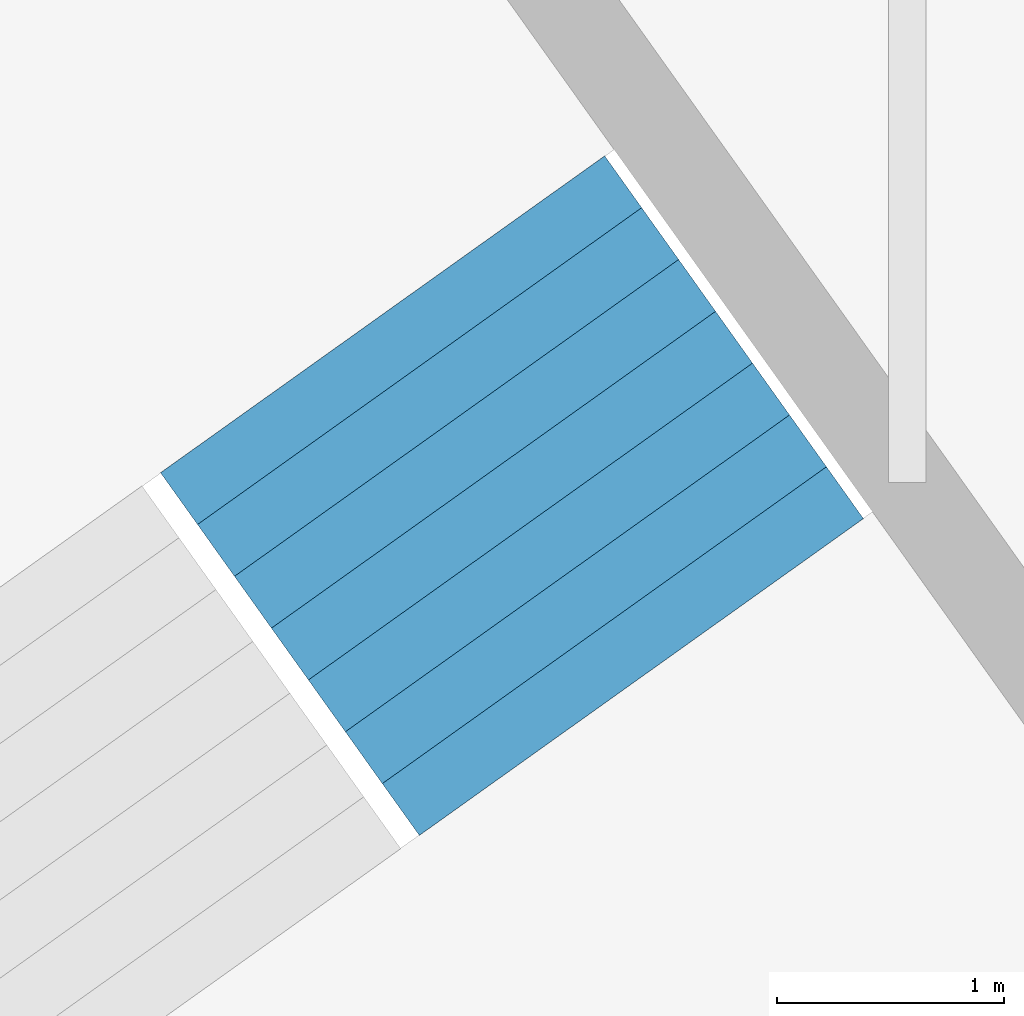
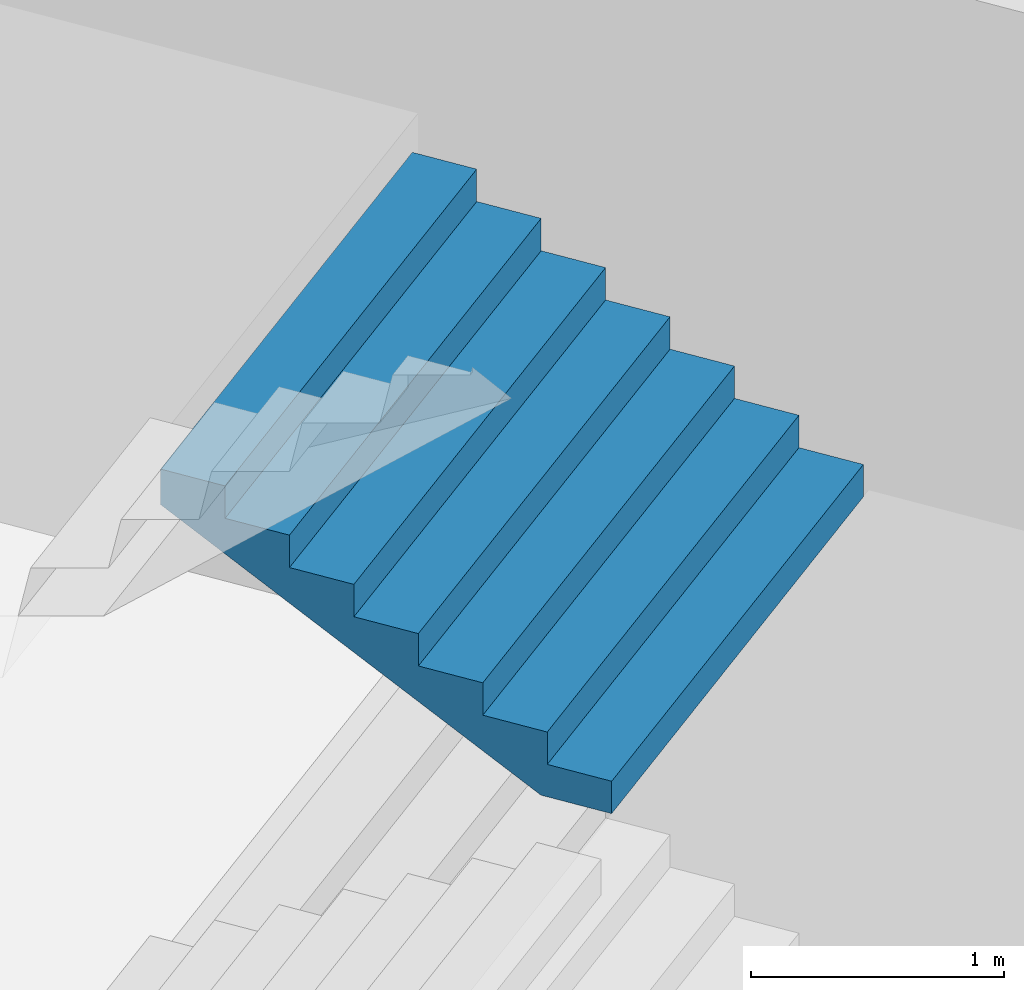
# One storey, part 44 of 73: 1 stair flight, 1 element without a shape of its own.
"""IFC4 building model written with IfcOpenShell, lengths in metres."""

import ifcopenshell
import ifcopenshell.guid

model = None  # the IFC model being written
_history = None  # IfcOwnerHistory: only IFC2X3 demands one
_inside = {}  # id of a spatial element -> (the spatial element, [elements in it])
_under = {}  # id of a project, library or spatial element -> (it, [spatial elements below it])
_declared = {}  # id of a project -> (the project, [libraries it declares])
_typed = {}  # id of a type object -> (the type object, [elements of that type])
_made_of = {}  # id of a material, layer set ... -> (it, [elements and type objects made of it])


def new_model(schema):
    """Start an empty IFC model of exactly this schema.

    Asked for "IFC4X3", IfcOpenShell would pick the latest addendum, in which some entities
    have other attributes; the version numbers below select the first issue.
    IFC2X3 requires an IfcOwnerHistory on every rooted entity: one is made here for all.
    """
    global model, _history
    if schema == "IFC4X3":
        model = ifcopenshell.file(schema_version=(4, 3, 0, 0))
    else:
        model = ifcopenshell.file(schema=schema)
    _inside.clear()
    _under.clear()
    _declared.clear()
    _typed.clear()
    _made_of.clear()
    _history = None
    if model.schema == "IFC2X3":
        org = make("IfcOrganization", Name="unknown")
        user = make(
            "IfcPersonAndOrganization",
            ThePerson=make("IfcPerson", FamilyName="unknown"),
            TheOrganization=org,
        )
        app = make(
            "IfcApplication",
            ApplicationDeveloper=org,
            Version="unknown",
            ApplicationFullName="unknown",
            ApplicationIdentifier="unknown",
        )
        _history = make(
            "IfcOwnerHistory",
            OwningUser=user,
            OwningApplication=app,
            ChangeAction="ADDED",
            CreationDate=0,
        )
    return model


def make(cls, **values):
    """One entity of the class cls with the attributes given. An attribute that is None is left unset."""
    return model.create_entity(
        cls, **{name: value for name, value in values.items() if value is not None}
    )


def rooted(cls, **values):
    """An entity with a GlobalId (a new one), such as an element, a storey or a relation."""
    return make(cls, GlobalId=ifcopenshell.guid.new(), OwnerHistory=_history, **values)


def si_unit(unit_type, name, prefix=None):
    """IfcSIUnit, for example si_unit("LENGTHUNIT", "METRE", prefix="MILLI")."""
    return make("IfcSIUnit", UnitType=unit_type, Prefix=prefix, Name=name)


def assignment(units):
    """IfcUnitAssignment: the units of a project."""
    return None if units is None else make("IfcUnitAssignment", Units=units)


def point(xyz):
    """IfcCartesianPoint."""
    return None if xyz is None else make("IfcCartesianPoint", Coordinates=xyz)


def direction(xyz):
    """IfcDirection."""
    return None if xyz is None else make("IfcDirection", DirectionRatios=xyz)


def frame(location, z_axis=None, x_axis=None):
    """IfcAxis2Placement3D, a coordinate frame: its origin and axes. An axis left out is left unset."""
    return make(
        "IfcAxis2Placement3D",
        Location=point(location),
        Axis=direction(z_axis),
        RefDirection=direction(x_axis),
    )


def origin():
    """The frame at (0, 0, 0) with its axes left unset."""
    return frame((0.0, 0.0, 0.0))


def place(relative_to, where):
    """IfcLocalPlacement: puts the frame where relative to a parent placement (None: the world)."""
    return make(
        "IfcLocalPlacement", PlacementRelTo=relative_to, RelativePlacement=where
    )


def context(
    kind, dimensions, precision=None, world=None, true_north=None, identifier=None
):
    """IfcGeometricRepresentationContext, for example the 3D "Model" context."""
    return make(
        "IfcGeometricRepresentationContext",
        ContextIdentifier=identifier,
        ContextType=kind,
        CoordinateSpaceDimension=dimensions,
        Precision=precision,
        WorldCoordinateSystem=world,
        TrueNorth=true_north,
    )


def subcontext(parent, identifier, kind, view, scale=None):
    """IfcGeometricRepresentationSubContext, for example "Body" below "Model"."""
    return make(
        "IfcGeometricRepresentationSubContext",
        ContextIdentifier=identifier,
        ContextType=kind,
        ParentContext=parent,
        TargetScale=scale,
        TargetView=view,
    )


def project(units=None, contexts=None):
    """IfcProject with its units and contexts."""
    return rooted(
        "IfcProject",
        Name="project",
        RepresentationContexts=contexts,
        UnitsInContext=assignment(units),
    )


def spatial(cls, under=None, at=None, **own):
    """A site, building, storey or space (cls), placed at a placement, below another one or the project."""
    s = rooted(cls, ObjectPlacement=at, **own)
    if under is not None:
        _under.setdefault(under.id(), (under, []))[1].append(s)
    return s


def point_list(points):
    """IfcCartesianPointList2D or 3D."""
    cls = (
        "IfcCartesianPointList2D" if len(points[0]) == 2 else "IfcCartesianPointList3D"
    )
    return make(cls, CoordList=points)


def triangles(points, corners, closed=None, point_numbers=None):
    """IfcTriangulatedFaceSet: each triangle names its three corners, points numbered from 1."""
    return make(
        "IfcTriangulatedFaceSet",
        Coordinates=point_list(points),
        Closed=closed,
        CoordIndex=corners,
        PnIndex=point_numbers,
    )


def shape(context_of_items, identifier, shape_type, items):
    """IfcShapeRepresentation: the items that make up one representation, for example the "Body"."""
    return make(
        "IfcShapeRepresentation",
        ContextOfItems=context_of_items,
        RepresentationIdentifier=identifier,
        RepresentationType=shape_type,
        Items=items,
    )


def material(Name=None, Category=None):
    """IfcMaterial."""
    return make("IfcMaterial", Name=Name, Category=Category)


def made_of(thing, what):
    """Note that an element or type object is made of a material, layer set ...; save() writes the relation."""
    if what is not None:
        _made_of.setdefault(what.id(), (what, []))[1].append(thing)
    return thing


def type_object(cls, material=None, **own):
    """A type object (cls), such as IfcWallType, which elements share."""
    return made_of(rooted(cls, **own), material)


def element(
    cls,
    number,
    at=None,
    inside=None,
    cuts=None,
    type_object=None,
    material=None,
    context=None,
    identifier="Body",
    shape_type=None,
    held_by="IfcProductDefinitionShape",
    body=None,
    shapes=None,
    **own,
):
    """One element of the class cls, such as IfcWall. Its Tag is "e" and its number.

    at: its placement. inside: the storey or other place that contains it. cuts: it is an
    opening in that element (IfcRelVoidsElement). A single representation is given by context,
    identifier, shape_type and body (its items); several are given by shapes. held_by: the class
    of the entity that holds the representations. save() writes the other relations.
    """
    e = rooted(cls, Tag="e%d" % number, ObjectPlacement=at, **own)
    if body is not None:
        shapes = [shape(context, identifier, shape_type, body)]
    if shapes is not None:
        e.Representation = make(held_by, Representations=shapes)
    if inside is not None:
        _inside.setdefault(inside.id(), (inside, []))[1].append(e)
    if cuts is not None:
        rooted(
            "IfcRelVoidsElement", RelatingBuildingElement=cuts, RelatedOpeningElement=e
        )
    if type_object is not None:
        _typed.setdefault(type_object.id(), (type_object, []))[1].append(e)
    return made_of(e, material)


def aggregate(whole, parts):
    """IfcRelAggregates: a whole, such as a stair, and the parts it consists of."""
    return rooted("IfcRelAggregates", RelatingObject=whole, RelatedObjects=parts)


def save(model, path):
    """Write the relations noted so far, then the file.

    IfcRelAggregates (storeys below a building ...), IfcRelContainedInSpatialStructure (elements
    in a storey), IfcRelDefinesByType, IfcRelAssociatesMaterial and IfcRelDeclares: one each for
    every whole, place, type object, material and project.
    """
    for whole, parts in _under.values():
        aggregate(whole, parts)
    for where, things in _inside.values():
        rooted(
            "IfcRelContainedInSpatialStructure",
            RelatedElements=things,
            RelatingStructure=where,
        )
    for kind, things in _typed.values():
        rooted("IfcRelDefinesByType", RelatedObjects=things, RelatingType=kind)
    for what, things in _made_of.values():
        rooted("IfcRelAssociatesMaterial", RelatedObjects=things, RelatingMaterial=what)
    for by, libraries in _declared.values():
        rooted("IfcRelDeclares", RelatingContext=by, RelatedDefinitions=libraries)
    model.write(path)


model = new_model("IFC4")

# Units and contexts
model_context = context("Model", 3, precision=1e-05, world=origin(), true_north=direction((0.0, 1.0)))
body_context = subcontext(model_context, "Body", "Model", "MODEL_VIEW")
ifc_project = project(units=[si_unit("LENGTHUNIT", "METRE"), si_unit("AREAUNIT", "SQUARE_METRE"), si_unit("VOLUMEUNIT", "CUBIC_METRE"), si_unit("PLANEANGLEUNIT", "RADIAN"), si_unit("MASSUNIT", "GRAM", prefix="KILO")], contexts=[model_context])

# Site, building, storey
site_placement = place(None, origin())
site = spatial("IfcSite", under=ifc_project, at=site_placement, CompositionType="ELEMENT")
building_placement = place(site_placement, origin())
building = spatial("IfcBuilding", under=site, at=building_placement, Name="Lantaw Convention Tower", CompositionType="ELEMENT")
storey_placement = place(building_placement, frame((0.0, 0.0, 27.0)))
storey = spatial("IfcBuildingStorey", under=building, at=storey_placement, Name="L04", CompositionType="ELEMENT", Elevation=27.0)

# Stair, stair flight
ifc_material = material(Name="Concrete C35/45", Category="concrete")
stair_type = type_object("IfcStairType", Name="Exit stair 2400 riser 156.25 in 4 flights", PredefinedType="HALF_TURN_STAIR", material=ifc_material)
stair_placement = place(storey_placement, origin())
stair = element("IfcStair", 1, at=stair_placement, inside=storey, type_object=stair_type, Name="Podium exit stair P6 L04", PredefinedType="HALF_TURN_STAIR")
stair_flight_type = type_object("IfcStairFlightType", Name="Stair flight 2400 riser 156.25", PredefinedType="STRAIGHT", material=ifc_material)
stair_flight_placement = place(storey_placement, frame((-16.97021484375, 25.944091796875, 2.5), z_axis=(0.0, 0.0, 1.0), x_axis=(-0.580702955711, 0.814115518356, 0.0)))
stair_flight = element("IfcStairFlight", 2, at=stair_flight_placement, type_object=stair_flight_type, Name="P6 flight 3", NumberOfRisers=8, NumberOfTreads=7, PredefinedType="STRAIGHT", RiserHeight=0.15625, TreadLength=0.28, context=body_context, shape_type="Tessellation", body=[
    triangles([(0.0, 1.199951171875, 0.0), (0.0, 1.199951171875, 0.15625), (0.28, 1.199951171875, 0.0), (0.28, 1.199951171875, 0.15625), (0.28, 1.199951171875, 0.3125), (0.3076200632058044, 1.199951171875, 0.0), (0.3076200632058044, 1.199951171875, 0.3125), (0.56, 1.199951171875, 0.14083701830033238), (0.56, 1.199951171875, 0.3125), (0.56, 1.199951171875, 0.46875), (0.8400000000000001, 1.199951171875, 0.29708701830033235), (0.8400000000000001, 1.199951171875, 0.46875), (0.8400000000000001, 1.199951171875, 0.625), (1.12, 1.199951171875, 0.45333701830033235), (1.12, 1.199951171875, 0.625), (1.12, 1.199951171875, 0.78125), (1.4000000000000001, 1.199951171875, 0.6095870183003324), (1.4000000000000001, 1.199951171875, 0.78125), (1.4000000000000001, 1.199951171875, 0.9375), (1.6800000000000002, 1.199951171875, 0.7658370183003324), (1.6800000000000002, 1.199951171875, 0.9375), (1.6800000000000002, 1.199951171875, 1.09375), (1.9600000000000002, 1.199951171875, 0.9220870183003324), (1.9600000000000002, 1.199951171875, 1.09375), (0.0, -1.199951171875, 0.0), (0.0, -1.199951171875, 0.15625), (0.28, -1.199951171875, 0.0), (0.28, -1.199951171875, 0.15625), (0.28, -1.199951171875, 0.3125), (0.3076200632058044, -1.199951171875, 0.0), (0.3076200632058044, -1.199951171875, 0.3125), (0.56, -1.199951171875, 0.14083701830033238), (0.56, -1.199951171875, 0.3125), (0.56, -1.199951171875, 0.46875), (0.8400000000000001, -1.199951171875, 0.29708701830033235), (0.8400000000000001, -1.199951171875, 0.46875), (0.8400000000000001, -1.199951171875, 0.625), (1.12, -1.199951171875, 0.45333701830033235), (1.12, -1.199951171875, 0.625), (1.12, -1.199951171875, 0.78125), (1.4000000000000001, -1.199951171875, 0.6095870183003324), (1.4000000000000001, -1.199951171875, 0.78125), (1.4000000000000001, -1.199951171875, 0.9375), (1.6800000000000002, -1.199951171875, 0.7658370183003324), (1.6800000000000002, -1.199951171875, 0.9375), (1.6800000000000002, -1.199951171875, 1.09375), (1.9600000000000002, -1.199951171875, 0.9220870183003324), (1.9600000000000002, -1.199951171875, 1.09375), (0.0, 0.239990234375, 0.15625), (0.0, 0.239990234375, 0.0), (0.0, 0.1919921875, 0.15625), (0.0, 0.1919921875, 0.0), (0.0, 0.143994140625, 0.15625), (0.0, 0.143994140625, 0.0), (0.0, 0.09599609375, 0.15625), (0.0, 0.09599609375, 0.0), (0.0, 0.047998046875, 0.15625), (0.0, 0.047998046875, 0.0), (0.0, 0.0, 0.15625), (0.0, 0.0, 0.0), (0.0, -0.047998046875, 0.15625), (0.0, -0.047998046875, 0.0), (0.0, -0.09599609375, 0.15625), (0.0, -0.09599609375, 0.0), (0.0, -0.143994140625, 0.15625), (0.0, -0.143994140625, 0.0), (0.0, -0.1919921875, 0.15625), (0.0, -0.1919921875, 0.0), (0.0, -0.239990234375, 0.15625), (0.0, -0.239990234375, 0.0), (0.28, 0.239990234375, 0.3125), (0.28, 0.239990234375, 0.15625), (0.28, 0.1919921875, 0.3125), (0.28, 0.1919921875, 0.15625), (0.28, 0.143994140625, 0.3125), (0.28, 0.143994140625, 0.15625), (0.28, 0.09599609375, 0.3125), (0.28, 0.09599609375, 0.15625), (0.28, 0.047998046875, 0.3125), (0.28, 0.047998046875, 0.15625), (0.28, 0.0, 0.3125), (0.28, 0.0, 0.15625), (0.28, -0.047998046875, 0.3125), (0.28, -0.047998046875, 0.15625), (0.28, -0.09599609375, 0.3125), (0.28, -0.09599609375, 0.15625), (0.28, -0.143994140625, 0.3125), (0.28, -0.143994140625, 0.15625), (0.28, -0.1919921875, 0.3125), (0.28, -0.1919921875, 0.15625), (0.28, -0.239990234375, 0.3125), (0.28, -0.239990234375, 0.15625), (0.56, 0.239990234375, 0.46875), (0.56, 0.239990234375, 0.3125), (0.56, 0.1919921875, 0.46875), (0.56, 0.1919921875, 0.3125), (0.56, 0.143994140625, 0.46875), (0.56, 0.143994140625, 0.3125), (0.56, 0.09599609375, 0.46875), (0.56, 0.09599609375, 0.3125), (0.56, 0.047998046875, 0.46875), (0.56, 0.047998046875, 0.3125), (0.56, 0.0, 0.46875), (0.56, 0.0, 0.3125), (0.56, -0.047998046875, 0.46875), (0.56, -0.047998046875, 0.3125), (0.56, -0.09599609375, 0.46875), (0.56, -0.09599609375, 0.3125), (0.56, -0.143994140625, 0.46875), (0.56, -0.143994140625, 0.3125), (0.56, -0.1919921875, 0.46875), (0.56, -0.1919921875, 0.3125), (0.56, -0.239990234375, 0.46875), (0.56, -0.239990234375, 0.3125), (0.8400000000000001, 0.239990234375, 0.625), (0.8400000000000001, 0.239990234375, 0.46875), (0.8400000000000001, 0.1919921875, 0.625), (0.8400000000000001, 0.1919921875, 0.46875), (0.8400000000000001, 0.143994140625, 0.625), (0.8400000000000001, 0.143994140625, 0.46875), (0.8400000000000001, 0.09599609375, 0.625), (0.8400000000000001, 0.09599609375, 0.46875), (0.8400000000000001, 0.047998046875, 0.625), (0.8400000000000001, 0.047998046875, 0.46875), (0.8400000000000001, 0.0, 0.625), (0.8400000000000001, 0.0, 0.46875), (0.8400000000000001, -0.047998046875, 0.625), (0.8400000000000001, -0.047998046875, 0.46875), (0.8400000000000001, -0.09599609375, 0.625), (0.8400000000000001, -0.09599609375, 0.46875), (0.8400000000000001, -0.143994140625, 0.625), (0.8400000000000001, -0.143994140625, 0.46875), (0.8400000000000001, -0.1919921875, 0.625), (0.8400000000000001, -0.1919921875, 0.46875), (0.8400000000000001, -0.239990234375, 0.625), (0.8400000000000001, -0.239990234375, 0.46875), (1.12, 0.239990234375, 0.78125), (1.12, 0.239990234375, 0.625), (1.12, 0.1919921875, 0.78125), (1.12, 0.1919921875, 0.625), (1.12, 0.143994140625, 0.78125), (1.12, 0.143994140625, 0.625), (1.12, 0.09599609375, 0.78125), (1.12, 0.09599609375, 0.625), (1.12, 0.047998046875, 0.78125), (1.12, 0.047998046875, 0.625), (1.12, 0.0, 0.78125), (1.12, 0.0, 0.625), (1.12, -0.047998046875, 0.78125), (1.12, -0.047998046875, 0.625), (1.12, -0.09599609375, 0.78125), (1.12, -0.09599609375, 0.625), (1.12, -0.143994140625, 0.78125), (1.12, -0.143994140625, 0.625), (1.12, -0.1919921875, 0.78125), (1.12, -0.1919921875, 0.625), (1.12, -0.239990234375, 0.78125), (1.12, -0.239990234375, 0.625), (1.4000000000000001, 0.239990234375, 0.9375), (1.4000000000000001, 0.239990234375, 0.78125), (1.4000000000000001, 0.1919921875, 0.9375), (1.4000000000000001, 0.1919921875, 0.78125), (1.4000000000000001, 0.143994140625, 0.9375), (1.4000000000000001, 0.143994140625, 0.78125), (1.4000000000000001, 0.09599609375, 0.9375), (1.4000000000000001, 0.09599609375, 0.78125), (1.4000000000000001, 0.047998046875, 0.9375), (1.4000000000000001, 0.047998046875, 0.78125), (1.4000000000000001, 0.0, 0.9375), (1.4000000000000001, 0.0, 0.78125), (1.4000000000000001, -0.047998046875, 0.9375), (1.4000000000000001, -0.047998046875, 0.78125), (1.4000000000000001, -0.09599609375, 0.9375), (1.4000000000000001, -0.09599609375, 0.78125), (1.4000000000000001, -0.143994140625, 0.9375), (1.4000000000000001, -0.143994140625, 0.78125), (1.4000000000000001, -0.1919921875, 0.9375), (1.4000000000000001, -0.1919921875, 0.78125), (1.4000000000000001, -0.239990234375, 0.9375), (1.4000000000000001, -0.239990234375, 0.78125), (1.6800000000000002, 0.239990234375, 1.09375), (1.6800000000000002, 0.239990234375, 0.9375), (1.6800000000000002, 0.1919921875, 1.09375), (1.6800000000000002, 0.1919921875, 0.9375), (1.6800000000000002, 0.143994140625, 1.09375), (1.6800000000000002, 0.143994140625, 0.9375), (1.6800000000000002, 0.09599609375, 1.09375), (1.6800000000000002, 0.09599609375, 0.9375), (1.6800000000000002, 0.047998046875, 1.09375), (1.6800000000000002, 0.047998046875, 0.9375), (1.6800000000000002, 0.0, 1.09375), (1.6800000000000002, 0.0, 0.9375), (1.6800000000000002, -0.047998046875, 1.09375), (1.6800000000000002, -0.047998046875, 0.9375), (1.6800000000000002, -0.09599609375, 1.09375), (1.6800000000000002, -0.09599609375, 0.9375), (1.6800000000000002, -0.143994140625, 1.09375), (1.6800000000000002, -0.143994140625, 0.9375), (1.6800000000000002, -0.1919921875, 1.09375), (1.6800000000000002, -0.1919921875, 0.9375), (1.6800000000000002, -0.239990234375, 1.09375), (1.6800000000000002, -0.239990234375, 0.9375), (0.3076200632058044, 0.239990234375, 0.3125), (0.3076200632058044, 0.1919921875, 0.3125), (0.3076200632058044, 0.143994140625, 0.3125), (0.3076200632058044, 0.09599609375, 0.3125), (0.3076200632058044, 0.047998046875, 0.3125), (0.3076200632058044, 0.0, 0.3125), (0.3076200632058044, -0.047998046875, 0.3125), (0.3076200632058044, -0.09599609375, 0.3125), (0.3076200632058044, -0.143994140625, 0.3125), (0.3076200632058044, -0.1919921875, 0.3125), (0.3076200632058044, -0.239990234375, 0.3125), (1.9600000000000002, 0.239990234375, 1.09375), (1.9600000000000002, 0.1919921875, 1.09375), (1.9600000000000002, 0.143994140625, 1.09375), (1.9600000000000002, 0.09599609375, 1.09375), (1.9600000000000002, 0.047998046875, 1.09375), (1.9600000000000002, 0.0, 1.09375), (1.9600000000000002, -0.047998046875, 1.09375), (1.9600000000000002, -0.09599609375, 1.09375), (1.9600000000000002, -0.143994140625, 1.09375), (1.9600000000000002, -0.1919921875, 1.09375), (1.9600000000000002, -0.239990234375, 1.09375), (1.9600000000000002, 0.239990234375, 0.9220870183003324), (1.9600000000000002, 0.1919921875, 0.9220870183003324), (1.9600000000000002, 0.143994140625, 0.9220870183003324), (1.9600000000000002, 0.09599609375, 0.9220870183003324), (1.9600000000000002, 0.047998046875, 0.9220870183003324), (1.9600000000000002, 0.0, 0.9220870183003324), (1.9600000000000002, -0.047998046875, 0.9220870183003324), (1.9600000000000002, -0.09599609375, 0.9220870183003324), (1.9600000000000002, -0.143994140625, 0.9220870183003324), (1.9600000000000002, -0.1919921875, 0.9220870183003324), (1.9600000000000002, -0.239990234375, 0.9220870183003324), (1.6800000000000002, 0.239990234375, 0.7658370183003324), (1.6800000000000002, 0.1919921875, 0.7658370183003324), (1.6800000000000002, 0.143994140625, 0.7658370183003324), (1.6800000000000002, 0.09599609375, 0.7658370183003324), (1.6800000000000002, 0.047998046875, 0.7658370183003324), (1.6800000000000002, 0.0, 0.7658370183003324), (1.6800000000000002, -0.047998046875, 0.7658370183003324), (1.6800000000000002, -0.09599609375, 0.7658370183003324), (1.6800000000000002, -0.143994140625, 0.7658370183003324), (1.6800000000000002, -0.1919921875, 0.7658370183003324), (1.6800000000000002, -0.239990234375, 0.7658370183003324), (1.4000000000000001, 0.239990234375, 0.6095870183003324), (1.4000000000000001, 0.1919921875, 0.6095870183003324), (1.4000000000000001, 0.143994140625, 0.6095870183003324), (1.4000000000000001, 0.09599609375, 0.6095870183003324), (1.4000000000000001, 0.047998046875, 0.6095870183003324), (1.4000000000000001, 0.0, 0.6095870183003324), (1.4000000000000001, -0.047998046875, 0.6095870183003324), (1.4000000000000001, -0.09599609375, 0.6095870183003324), (1.4000000000000001, -0.143994140625, 0.6095870183003324), (1.4000000000000001, -0.1919921875, 0.6095870183003324), (1.4000000000000001, -0.239990234375, 0.6095870183003324), (1.12, 0.239990234375, 0.45333701830033235), (1.12, 0.1919921875, 0.45333701830033235), (1.12, 0.143994140625, 0.45333701830033235), (1.12, 0.09599609375, 0.45333701830033235), (1.12, 0.047998046875, 0.45333701830033235), (1.12, 0.0, 0.45333701830033235), (1.12, -0.047998046875, 0.45333701830033235), (1.12, -0.09599609375, 0.45333701830033235), (1.12, -0.143994140625, 0.45333701830033235), (1.12, -0.1919921875, 0.45333701830033235), (1.12, -0.239990234375, 0.45333701830033235), (0.8400000000000001, 0.239990234375, 0.29708701830033235), (0.8400000000000001, 0.1919921875, 0.29708701830033235), (0.8400000000000001, 0.143994140625, 0.29708701830033235), (0.8400000000000001, 0.09599609375, 0.29708701830033235), (0.8400000000000001, 0.047998046875, 0.29708701830033235), (0.8400000000000001, 0.0, 0.29708701830033235), (0.8400000000000001, -0.047998046875, 0.29708701830033235), (0.8400000000000001, -0.09599609375, 0.29708701830033235), (0.8400000000000001, -0.143994140625, 0.29708701830033235), (0.8400000000000001, -0.1919921875, 0.29708701830033235), (0.8400000000000001, -0.239990234375, 0.29708701830033235), (0.56, 0.239990234375, 0.14083701830033238), (0.56, 0.1919921875, 0.14083701830033238), (0.56, 0.143994140625, 0.14083701830033238), (0.56, 0.09599609375, 0.14083701830033238), (0.56, 0.047998046875, 0.14083701830033238), (0.56, 0.0, 0.14083701830033238), (0.56, -0.047998046875, 0.14083701830033238), (0.56, -0.09599609375, 0.14083701830033238), (0.56, -0.143994140625, 0.14083701830033238), (0.56, -0.1919921875, 0.14083701830033238), (0.56, -0.239990234375, 0.14083701830033238), (0.3076200632058044, 0.239990234375, 0.0), (0.3076200632058044, 0.1919921875, 0.0), (0.3076200632058044, 0.143994140625, 0.0), (0.3076200632058044, 0.09599609375, 0.0), (0.3076200632058044, 0.047998046875, 0.0), (0.3076200632058044, 0.0, 0.0), (0.3076200632058044, -0.047998046875, 0.0), (0.3076200632058044, -0.09599609375, 0.0), (0.3076200632058044, -0.143994140625, 0.0), (0.3076200632058044, -0.1919921875, 0.0), (0.3076200632058044, -0.239990234375, 0.0), (0.28, 0.239990234375, 0.0), (0.28, 0.1919921875, 0.0), (0.28, 0.143994140625, 0.0), (0.28, 0.09599609375, 0.0), (0.28, 0.047998046875, 0.0), (0.28, 0.0, 0.0), (0.28, -0.047998046875, 0.0), (0.28, -0.09599609375, 0.0), (0.28, -0.143994140625, 0.0), (0.28, -0.1919921875, 0.0), (0.28, -0.239990234375, 0.0)], [[1, 4, 3], [1, 2, 4], [3, 4, 6], [4, 7, 6], [4, 5, 7], [6, 9, 8], [6, 7, 9], [8, 9, 11], [9, 12, 11], [9, 10, 12], [11, 12, 14], [12, 15, 14], [12, 13, 15], [14, 15, 17], [15, 18, 17], [15, 16, 18], [17, 18, 20], [18, 21, 20], [18, 19, 21], [20, 21, 23], [21, 24, 23], [21, 22, 24], [25, 27, 28], [25, 28, 26], [27, 30, 28], [28, 30, 31], [28, 31, 29], [30, 32, 33], [30, 33, 31], [32, 35, 33], [33, 35, 36], [33, 36, 34], [35, 38, 36], [36, 38, 39], [36, 39, 37], [38, 41, 39], [39, 41, 42], [39, 42, 40], [41, 44, 42], [42, 44, 45], [42, 45, 43], [44, 47, 45], [45, 47, 48], [45, 48, 46], [1, 49, 2], [1, 50, 49], [50, 51, 49], [50, 52, 51], [52, 53, 51], [52, 54, 53], [54, 55, 53], [54, 56, 55], [56, 57, 55], [56, 58, 57], [58, 59, 57], [58, 60, 59], [60, 61, 59], [60, 62, 61], [62, 63, 61], [62, 64, 63], [64, 65, 63], [64, 66, 65], [66, 67, 65], [66, 68, 67], [68, 69, 67], [68, 70, 69], [70, 26, 69], [70, 25, 26], [4, 71, 5], [4, 72, 71], [72, 73, 71], [72, 74, 73], [74, 75, 73], [74, 76, 75], [76, 77, 75], [76, 78, 77], [78, 79, 77], [78, 80, 79], [80, 81, 79], [80, 82, 81], [82, 83, 81], [82, 84, 83], [84, 85, 83], [84, 86, 85], [86, 87, 85], [86, 88, 87], [88, 89, 87], [88, 90, 89], [90, 91, 89], [90, 92, 91], [92, 29, 91], [92, 28, 29], [9, 93, 10], [9, 94, 93], [94, 95, 93], [94, 96, 95], [96, 97, 95], [96, 98, 97], [98, 99, 97], [98, 100, 99], [100, 101, 99], [100, 102, 101], [102, 103, 101], [102, 104, 103], [104, 105, 103], [104, 106, 105], [106, 107, 105], [106, 108, 107], [108, 109, 107], [108, 110, 109], [110, 111, 109], [110, 112, 111], [112, 113, 111], [112, 114, 113], [114, 34, 113], [114, 33, 34], [12, 115, 13], [12, 116, 115], [116, 117, 115], [116, 118, 117], [118, 119, 117], [118, 120, 119], [120, 121, 119], [120, 122, 121], [122, 123, 121], [122, 124, 123], [124, 125, 123], [124, 126, 125], [126, 127, 125], [126, 128, 127], [128, 129, 127], [128, 130, 129], [130, 131, 129], [130, 132, 131], [132, 133, 131], [132, 134, 133], [134, 135, 133], [134, 136, 135], [136, 37, 135], [136, 36, 37], [15, 137, 16], [15, 138, 137], [138, 139, 137], [138, 140, 139], [140, 141, 139], [140, 142, 141], [142, 143, 141], [142, 144, 143], [144, 145, 143], [144, 146, 145], [146, 147, 145], [146, 148, 147], [148, 149, 147], [148, 150, 149], [150, 151, 149], [150, 152, 151], [152, 153, 151], [152, 154, 153], [154, 155, 153], [154, 156, 155], [156, 157, 155], [156, 158, 157], [158, 40, 157], [158, 39, 40], [18, 159, 19], [18, 160, 159], [160, 161, 159], [160, 162, 161], [162, 163, 161], [162, 164, 163], [164, 165, 163], [164, 166, 165], [166, 167, 165], [166, 168, 167], [168, 169, 167], [168, 170, 169], [170, 171, 169], [170, 172, 171], [172, 173, 171], [172, 174, 173], [174, 175, 173], [174, 176, 175], [176, 177, 175], [176, 178, 177], [178, 179, 177], [178, 180, 179], [180, 43, 179], [180, 42, 43], [21, 181, 22], [21, 182, 181], [182, 183, 181], [182, 184, 183], [184, 185, 183], [184, 186, 185], [186, 187, 185], [186, 188, 187], [188, 189, 187], [188, 190, 189], [190, 191, 189], [190, 192, 191], [192, 193, 191], [192, 194, 193], [194, 195, 193], [194, 196, 195], [196, 197, 195], [196, 198, 197], [198, 199, 197], [198, 200, 199], [200, 201, 199], [200, 202, 201], [202, 46, 201], [202, 45, 46], [2, 72, 4], [2, 49, 72], [49, 74, 72], [49, 51, 74], [51, 76, 74], [51, 53, 76], [53, 78, 76], [53, 55, 78], [55, 80, 78], [55, 57, 80], [57, 82, 80], [57, 59, 82], [59, 84, 82], [59, 61, 84], [61, 86, 84], [61, 63, 86], [63, 88, 86], [63, 65, 88], [65, 90, 88], [65, 67, 90], [67, 92, 90], [67, 69, 92], [69, 28, 92], [69, 26, 28], [5, 203, 7], [5, 71, 203], [71, 204, 203], [71, 73, 204], [73, 205, 204], [73, 75, 205], [75, 206, 205], [75, 77, 206], [77, 207, 206], [77, 79, 207], [79, 208, 207], [79, 81, 208], [81, 209, 208], [81, 83, 209], [83, 210, 209], [83, 85, 210], [85, 211, 210], [85, 87, 211], [87, 212, 211], [87, 89, 212], [89, 213, 212], [89, 91, 213], [91, 31, 213], [91, 29, 31], [7, 94, 9], [7, 203, 94], [203, 96, 94], [203, 204, 96], [204, 98, 96], [204, 205, 98], [205, 100, 98], [205, 206, 100], [206, 102, 100], [206, 207, 102], [207, 104, 102], [207, 208, 104], [208, 106, 104], [208, 209, 106], [209, 108, 106], [209, 210, 108], [210, 110, 108], [210, 211, 110], [211, 112, 110], [211, 212, 112], [212, 114, 112], [212, 213, 114], [213, 33, 114], [213, 31, 33], [10, 116, 12], [10, 93, 116], [93, 118, 116], [93, 95, 118], [95, 120, 118], [95, 97, 120], [97, 122, 120], [97, 99, 122], [99, 124, 122], [99, 101, 124], [101, 126, 124], [101, 103, 126], [103, 128, 126], [103, 105, 128], [105, 130, 128], [105, 107, 130], [107, 132, 130], [107, 109, 132], [109, 134, 132], [109, 111, 134], [111, 136, 134], [111, 113, 136], [113, 36, 136], [113, 34, 36], [13, 138, 15], [13, 115, 138], [115, 140, 138], [115, 117, 140], [117, 142, 140], [117, 119, 142], [119, 144, 142], [119, 121, 144], [121, 146, 144], [121, 123, 146], [123, 148, 146], [123, 125, 148], [125, 150, 148], [125, 127, 150], [127, 152, 150], [127, 129, 152], [129, 154, 152], [129, 131, 154], [131, 156, 154], [131, 133, 156], [133, 158, 156], [133, 135, 158], [135, 39, 158], [135, 37, 39], [16, 160, 18], [16, 137, 160], [137, 162, 160], [137, 139, 162], [139, 164, 162], [139, 141, 164], [141, 166, 164], [141, 143, 166], [143, 168, 166], [143, 145, 168], [145, 170, 168], [145, 147, 170], [147, 172, 170], [147, 149, 172], [149, 174, 172], [149, 151, 174], [151, 176, 174], [151, 153, 176], [153, 178, 176], [153, 155, 178], [155, 180, 178], [155, 157, 180], [157, 42, 180], [157, 40, 42], [19, 182, 21], [19, 159, 182], [159, 184, 182], [159, 161, 184], [161, 186, 184], [161, 163, 186], [163, 188, 186], [163, 165, 188], [165, 190, 188], [165, 167, 190], [167, 192, 190], [167, 169, 192], [169, 194, 192], [169, 171, 194], [171, 196, 194], [171, 173, 196], [173, 198, 196], [173, 175, 198], [175, 200, 198], [175, 177, 200], [177, 202, 200], [177, 179, 202], [179, 45, 202], [179, 43, 45], [22, 214, 24], [22, 181, 214], [181, 215, 214], [181, 183, 215], [183, 216, 215], [183, 185, 216], [185, 217, 216], [185, 187, 217], [187, 218, 217], [187, 189, 218], [189, 219, 218], [189, 191, 219], [191, 220, 219], [191, 193, 220], [193, 221, 220], [193, 195, 221], [195, 222, 221], [195, 197, 222], [197, 223, 222], [197, 199, 223], [199, 224, 223], [199, 201, 224], [201, 48, 224], [201, 46, 48], [24, 225, 23], [24, 214, 225], [214, 226, 225], [214, 215, 226], [215, 227, 226], [215, 216, 227], [216, 228, 227], [216, 217, 228], [217, 229, 228], [217, 218, 229], [218, 230, 229], [218, 219, 230], [219, 231, 230], [219, 220, 231], [220, 232, 231], [220, 221, 232], [221, 233, 232], [221, 222, 233], [222, 234, 233], [222, 223, 234], [223, 235, 234], [223, 224, 235], [224, 47, 235], [224, 48, 47], [23, 236, 20], [23, 225, 236], [225, 237, 236], [225, 226, 237], [226, 238, 237], [226, 227, 238], [227, 239, 238], [227, 228, 239], [228, 240, 239], [228, 229, 240], [229, 241, 240], [229, 230, 241], [230, 242, 241], [230, 231, 242], [231, 243, 242], [231, 232, 243], [232, 244, 243], [232, 233, 244], [233, 245, 244], [233, 234, 245], [234, 246, 245], [234, 235, 246], [235, 44, 246], [235, 47, 44], [20, 247, 17], [20, 236, 247], [236, 248, 247], [236, 237, 248], [237, 249, 248], [237, 238, 249], [238, 250, 249], [238, 239, 250], [239, 251, 250], [239, 240, 251], [240, 252, 251], [240, 241, 252], [241, 253, 252], [241, 242, 253], [242, 254, 253], [242, 243, 254], [243, 255, 254], [243, 244, 255], [244, 256, 255], [244, 245, 256], [245, 257, 256], [245, 246, 257], [246, 41, 257], [246, 44, 41], [17, 258, 14], [17, 247, 258], [247, 259, 258], [247, 248, 259], [248, 260, 259], [248, 249, 260], [249, 261, 260], [249, 250, 261], [250, 262, 261], [250, 251, 262], [251, 263, 262], [251, 252, 263], [252, 264, 263], [252, 253, 264], [253, 265, 264], [253, 254, 265], [254, 266, 265], [254, 255, 266], [255, 267, 266], [255, 256, 267], [256, 268, 267], [256, 257, 268], [257, 38, 268], [257, 41, 38], [14, 269, 11], [14, 258, 269], [258, 270, 269], [258, 259, 270], [259, 271, 270], [259, 260, 271], [260, 272, 271], [260, 261, 272], [261, 273, 272], [261, 262, 273], [262, 274, 273], [262, 263, 274], [263, 275, 274], [263, 264, 275], [264, 276, 275], [264, 265, 276], [265, 277, 276], [265, 266, 277], [266, 278, 277], [266, 267, 278], [267, 279, 278], [267, 268, 279], [268, 35, 279], [268, 38, 35], [11, 280, 8], [11, 269, 280], [269, 281, 280], [269, 270, 281], [270, 282, 281], [270, 271, 282], [271, 283, 282], [271, 272, 283], [272, 284, 283], [272, 273, 284], [273, 285, 284], [273, 274, 285], [274, 286, 285], [274, 275, 286], [275, 287, 286], [275, 276, 287], [276, 288, 287], [276, 277, 288], [277, 289, 288], [277, 278, 289], [278, 290, 289], [278, 279, 290], [279, 32, 290], [279, 35, 32], [8, 291, 6], [8, 280, 291], [280, 292, 291], [280, 281, 292], [281, 293, 292], [281, 282, 293], [282, 294, 293], [282, 283, 294], [283, 295, 294], [283, 284, 295], [284, 296, 295], [284, 285, 296], [285, 297, 296], [285, 286, 297], [286, 298, 297], [286, 287, 298], [287, 299, 298], [287, 288, 299], [288, 300, 299], [288, 289, 300], [289, 301, 300], [289, 290, 301], [290, 30, 301], [290, 32, 30], [6, 302, 3], [6, 291, 302], [291, 303, 302], [291, 292, 303], [292, 304, 303], [292, 293, 304], [293, 305, 304], [293, 294, 305], [294, 306, 305], [294, 295, 306], [295, 307, 306], [295, 296, 307], [296, 308, 307], [296, 297, 308], [297, 309, 308], [297, 298, 309], [298, 310, 309], [298, 299, 310], [299, 311, 310], [299, 300, 311], [300, 312, 311], [300, 301, 312], [301, 27, 312], [301, 30, 27], [3, 50, 1], [3, 302, 50], [302, 52, 50], [302, 303, 52], [303, 54, 52], [303, 304, 54], [304, 56, 54], [304, 305, 56], [305, 58, 56], [305, 306, 58], [306, 60, 58], [306, 307, 60], [307, 62, 60], [307, 308, 62], [308, 64, 62], [308, 309, 64], [309, 66, 64], [309, 310, 66], [310, 68, 66], [310, 311, 68], [311, 70, 68], [311, 312, 70], [312, 25, 70], [312, 27, 25]], closed=True),
])
aggregate(stair, [stair_flight])

save(model, "model.ifc")
